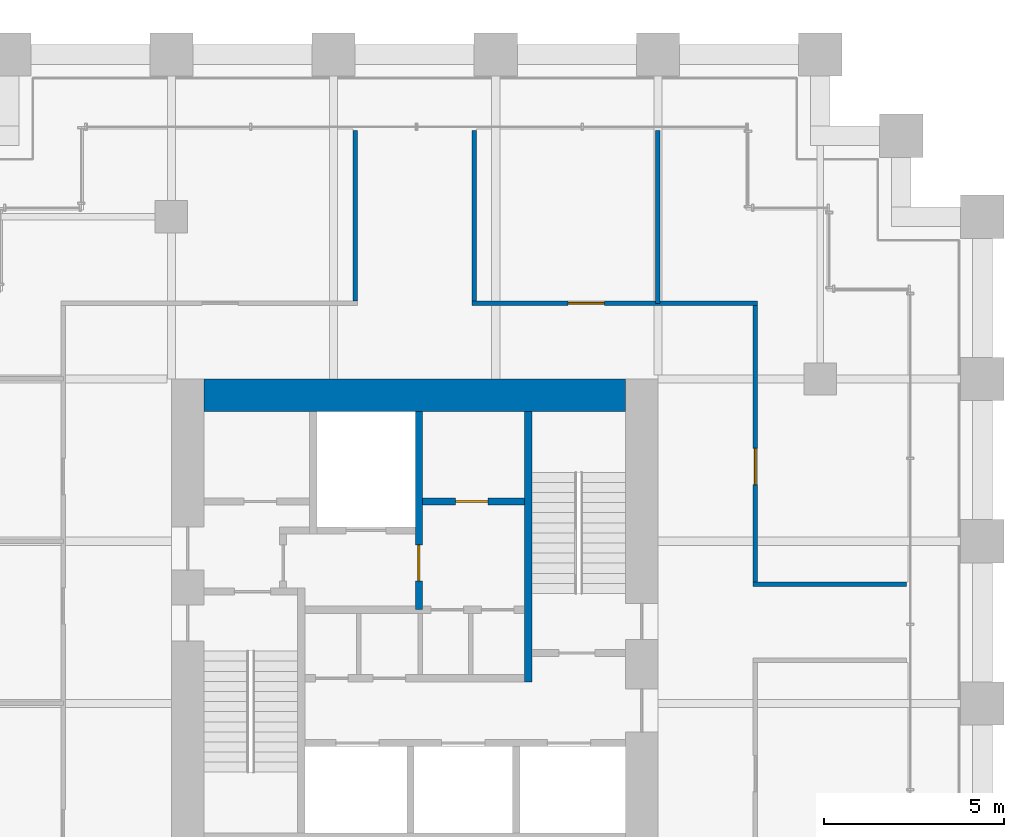
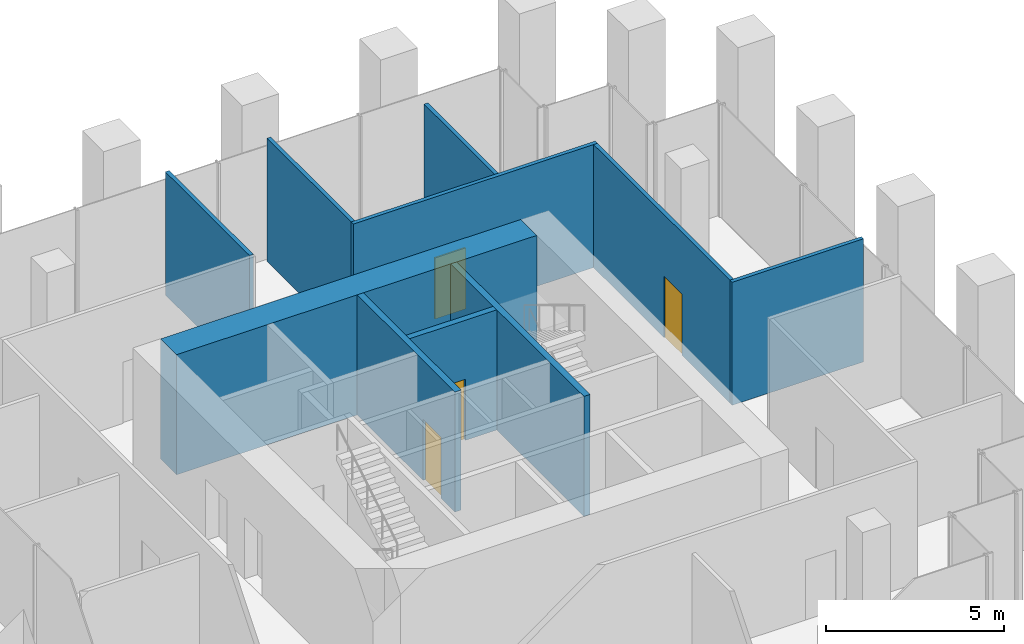
# One storey, part 33 of 36: 10 walls, 4 doors, 4 openings.
"""IFC4 building model written with IfcOpenShell, lengths in metres."""

from ifc_helpers import new_model, si_unit, direction, frame, frame_2d, origin, place, context, subcontext, project, spatial, rectangle, extrude, material, layer, layer_set, type_object, element, fill, save


model = new_model("IFC4")

# Units and contexts
model_context = context("Model", 3, precision=1e-05, world=origin(), true_north=direction((0.0, 1.0)))
body_context = subcontext(model_context, "Body", "Model", "MODEL_VIEW")
ifc_project = project(units=[si_unit("LENGTHUNIT", "METRE"), si_unit("AREAUNIT", "SQUARE_METRE"), si_unit("VOLUMEUNIT", "CUBIC_METRE"), si_unit("PLANEANGLEUNIT", "RADIAN"), si_unit("MASSUNIT", "GRAM", prefix="KILO")], contexts=[model_context])

# Site, building, storey
site_placement = place(None, origin())
site = spatial("IfcSite", under=ifc_project, at=site_placement, CompositionType="ELEMENT")
building_placement = place(site_placement, origin())
building = spatial("IfcBuilding", under=site, at=building_placement, Name="Altepetl Exchange Towers", CompositionType="ELEMENT")
storey_placement = place(building_placement, frame((0.0, 0.0, 38.60009765625)))
storey = spatial("IfcBuildingStorey", under=building, at=storey_placement, Name="L08", CompositionType="ELEMENT", Elevation=38.60009765625)

# Walls
ifc_material_1 = material(Name="Concrete C70/85", Category="concrete")
ifc_layer_1 = layer(ifc_material_1, 0.89990234375)
ifc_layer_set_1 = layer_set([ifc_layer_1], Name="Concrete C70/85")
wall_type_1 = type_object("IfcWallType", Name="Core wall 900 reinforced concrete", PredefinedType="SHEAR", material=ifc_layer_set_1)
wall_1_placement = place(storey_placement, frame((104.39990234375, 49.050048828125, 0.0)))
element("IfcWall", 1, at=wall_1_placement, inside=storey, type_object=wall_type_1, Name="wall:B:L08:K-coreN", PredefinedType="SHEAR", context=body_context, shape_type="SweptSolid", body=[
    extrude(rectangle(XDim=11.7001953125, YDim=0.89990234375, at=frame_2d((5.85009765625, 0.0))), origin(), (0.0, 0.0, 1.0), 4.125),
])
ifc_material_2 = material(Name="Gypsum board on steel studs", Category="steel")
ifc_layer_2 = layer(ifc_material_2, 0.125)
ifc_layer_set_2 = layer_set([ifc_layer_2], Name="Gypsum board on steel studs")
wall_type_2 = type_object("IfcWallType", Name="Partition 125 gypsum board on steel studs", PredefinedType="PARTITIONING", material=ifc_layer_set_2)
wall_2_placement = place(storey_placement, frame((119.637451171875, 43.800048828125, 0.0)))
element("IfcWall", 2, at=wall_2_placement, inside=storey, type_object=wall_type_2, Name="wall:B:L08:P05", PredefinedType="PARTITIONING", context=body_context, shape_type="SweptSolid", body=[
    extrude(rectangle(XDim=4.262451171875, YDim=0.125, at=frame_2d((2.13134765625, 0.0))), origin(), (0.0, 0.0, 1.0), 4.224853515625),
])

# Wall, opening, door
wall_3_placement = place(storey_placement, frame((111.83740234375, 51.60009765625, 0.0)))
wall_3 = element("IfcWall", 3, at=wall_3_placement, inside=storey, type_object=wall_type_2, Name="wall:B:L08:P09", PredefinedType="PARTITIONING", context=body_context, shape_type="SweptSolid", body=[
    extrude(rectangle(XDim=7.925048828125, YDim=0.125, at=frame_2d((3.96240234375, 0.0))), origin(), (0.0, 0.0, 1.0), 4.224853515625),
])
opening_1_placement = place(wall_3_placement, frame((2.672607421875, 0.0, 0.0)))
opening_1 = element("IfcOpeningElement", 4, at=opening_1_placement, cuts=wall_3, Name="Opening L08.B06", PredefinedType="OPENING", context=body_context, shape_type="SweptSolid", body=[
    extrude(rectangle(XDim=1.0, YDim=2.10009765625, at=frame_2d((0.5, 1.050048828125))), frame((0.0, 0.072509765625, 0.0), z_axis=(0.0, -1.0, 0.0), x_axis=(1.0, 0.0, 0.0)), (0.0, 0.0, 1.0), 0.14501953125),
])
ifc_material_3 = material(Name="Steel and timber fire door", Category="steel")
door_type_1 = type_object("IfcDoorType", Name="Fire door 1000 x 2100 single leaf", OperationType="SINGLE_SWING_LEFT", PredefinedType="DOOR", material=ifc_material_3)
door_1_placement = place(opening_1_placement, origin())
door_1 = element("IfcDoor", 5, at=door_1_placement, inside=storey, type_object=door_type_1, Name="door:B:L08:06", OperationType="SINGLE_SWING_LEFT", OverallHeight=2.10009765625, OverallWidth=1.0, PredefinedType="DOOR", context=body_context, shape_type="SweptSolid", body=[
    extrude(rectangle(XDim=1.0, YDim=2.10009765625, at=frame_2d((0.5, 1.050048828125))), frame((0.0, 0.02490234375, 0.0), z_axis=(0.0, -1.0, 0.0), x_axis=(1.0, 0.0, 0.0)), (0.0, 0.0, 1.0), 0.050048828125),
])
fill(opening_1, door_1)

# Walls
for number, where, z_axis, x_axis, name in (
    (6, (108.60009765625, 51.66259765625, 0.0), (0.0, 0.0, 1.0), (0.0, 1.0, 0.0), "wall:B:L08:P12"),
    (7, (111.89990234375, 51.66259765625, 0.0), (0.0, 0.0, 1.0), (0.0, 1.0, 0.0), "wall:B:L08:P13"),
):
    element("IfcWall", number, at=place(storey_placement, frame(where, z_axis=z_axis, x_axis=x_axis)), inside=storey, type_object=wall_type_2, Name=name, PredefinedType="PARTITIONING", context=body_context, shape_type="SweptSolid", body=[
        extrude(rectangle(XDim=4.7373046875, YDim=0.125, at=frame_2d((2.36865234375, 0.0))), origin(), (0.0, 0.0, 1.0), 4.224853515625),
    ])
wall_4_placement = place(storey_placement, frame((117.0, 51.60009765625, 0.0), z_axis=(0.0, 0.0, 1.0), x_axis=(0.0, 1.0, 0.0)))
element("IfcWall", 8, at=wall_4_placement, inside=storey, type_object=wall_type_2, Name="wall:B:L08:P15", PredefinedType="PARTITIONING", context=body_context, shape_type="SweptSolid", body=[
    extrude(rectangle(XDim=4.7998046875, YDim=0.125, at=frame_2d((2.39990234375, 0.0))), origin(), (0.0, 0.0, 1.0), 3.61279296875),
])

# Wall, opening, door
wall_5_placement = place(storey_placement, frame((119.699951171875, 43.862548828125, 0.0), z_axis=(0.0, 0.0, 1.0), x_axis=(0.0, 1.0, 0.0)))
wall_5 = element("IfcWall", 9, at=wall_5_placement, inside=storey, type_object=wall_type_2, Name="wall:B:L08:P17", PredefinedType="PARTITIONING", context=body_context, shape_type="SweptSolid", body=[
    extrude(rectangle(XDim=7.675048828125, YDim=0.125, at=frame_2d((3.83740234375, 0.0))), origin(), (0.0, 0.0, 1.0), 4.224853515625),
])
opening_2_placement = place(wall_5_placement, frame((2.70947265625, 0.0, 0.0)))
opening_2 = element("IfcOpeningElement", 10, at=opening_2_placement, cuts=wall_5, Name="Opening L08.B05", PredefinedType="OPENING", context=body_context, shape_type="SweptSolid", body=[
    extrude(rectangle(XDim=1.0, YDim=2.10009765625, at=frame_2d((0.5, 1.050048828125))), frame((0.0, 0.072509765625, 0.0), z_axis=(0.0, -1.0, 0.0), x_axis=(1.0, 0.0, 0.0)), (0.0, 0.0, 1.0), 0.14501953125),
])
door_2_placement = place(opening_2_placement, frame((1.0, 0.0, 0.0), x_axis=(-1.0, 0.0, 0.0)))
door_2 = element("IfcDoor", 11, at=door_2_placement, inside=storey, type_object=door_type_1, Name="door:B:L08:05", OperationType="SINGLE_SWING_LEFT", OverallHeight=2.10009765625, OverallWidth=1.0, PredefinedType="DOOR", context=body_context, shape_type="SweptSolid", body=[
    extrude(rectangle(XDim=1.0, YDim=2.10009765625, at=frame_2d((0.5, 1.050048828125))), frame((0.0, 0.02490234375, 0.0), z_axis=(0.0, -1.0, 0.0), x_axis=(1.0, 0.0, 0.0)), (0.0, 0.0, 1.0), 0.050048828125),
])
fill(opening_2, door_2)

ifc_material_4 = material(Name="Concrete C40/50", Category="concrete")
ifc_layer_3 = layer(ifc_material_4, 0.199951171875)
ifc_layer_set_3 = layer_set([ifc_layer_3], Name="Concrete C40/50")
wall_type_3 = type_object("IfcWallType", Name="Shaft wall 200 reinforced concrete", PredefinedType="SHEAR", material=ifc_layer_set_3)
wall_6_placement = place(storey_placement, frame((110.36669921875, 48.60009765625, 0.0), z_axis=(0.0, 0.0, 1.0), x_axis=(0.0, -1.0, 0.0)))
wall_6 = element("IfcWall", 12, at=wall_6_placement, inside=storey, type_object=wall_type_3, Name="wall:B:L08:K-divN2", PredefinedType="SHEAR", context=body_context, shape_type="SweptSolid", body=[
    extrude(rectangle(XDim=5.5, YDim=0.199951171875, at=frame_2d((2.75, 0.0))), origin(), (0.0, 0.0, 1.0), 4.125),
])
opening_3_placement = place(wall_6_placement, frame((3.699951171875, 0.0, 0.0)))
opening_3 = element("IfcOpeningElement", 13, at=opening_3_placement, cuts=wall_6, Name="Opening L08.B66", PredefinedType="OPENING", context=body_context, shape_type="SweptSolid", body=[
    extrude(rectangle(XDim=1.0, YDim=2.10009765625, at=frame_2d((0.5, 1.050048828125))), frame((0.0, 0.10986328125, 0.0), z_axis=(0.0, -1.0, 0.0), x_axis=(1.0, 0.0, 0.0)), (0.0, 0.0, 1.0), 0.219970703125),
])
door_type_2 = type_object("IfcDoorType", Name="Fire door 1000 x 2100 stair and lobby", OperationType="SINGLE_SWING_LEFT", PredefinedType="DOOR", material=ifc_material_3)
door_3_placement = place(opening_3_placement, frame((1.0, 0.0, 0.0), x_axis=(-1.0, 0.0, 0.0)))
door_3 = element("IfcDoor", 14, at=door_3_placement, inside=storey, type_object=door_type_2, Name="door:B:L08:K-dffE", OperationType="SINGLE_SWING_RIGHT", OverallHeight=2.10009765625, OverallWidth=1.0, PredefinedType="DOOR", context=body_context, shape_type="SweptSolid", body=[
    extrude(rectangle(XDim=1.0, YDim=2.10009765625, at=frame_2d((0.5, 1.050048828125))), frame((0.0, 0.02490234375, 0.0), z_axis=(0.0, -1.0, 0.0), x_axis=(1.0, 0.0, 0.0)), (0.0, 0.0, 1.0), 0.050048828125),
])
fill(opening_3, door_3)

wall_7_placement = place(storey_placement, frame((110.466796875, 46.10009765625, 0.0)))
wall_7 = element("IfcWall", 15, at=wall_7_placement, inside=storey, type_object=wall_type_3, Name="wall:B:L08:K-frontNb", PredefinedType="SHEAR", context=body_context, shape_type="SweptSolid", body=[
    extrude(rectangle(XDim=2.833251953125, YDim=0.199951171875, at=frame_2d((1.41650390625, 0.0))), origin(), (0.0, 0.0, 1.0), 4.125),
])
opening_4_placement = place(wall_7_placement, frame((0.91650390625, 0.0, 0.0)))
opening_4 = element("IfcOpeningElement", 16, at=opening_4_placement, cuts=wall_7, Name="Opening L08.B69", PredefinedType="OPENING", context=body_context, shape_type="SweptSolid", body=[
    extrude(rectangle(XDim=0.89990234375, YDim=2.10009765625, at=frame_2d((0.449951171875, 1.050048828125))), frame((0.0, 0.10986328125, 0.0), z_axis=(0.0, -1.0, 0.0), x_axis=(1.0, 0.0, 0.0)), (0.0, 0.0, 1.0), 0.219970703125),
])
door_type_3 = type_object("IfcDoorType", Name="Fire door 900 x 2100 service room", OperationType="SINGLE_SWING_LEFT", PredefinedType="DOOR", material=ifc_material_3)
door_4_placement = place(opening_4_placement, origin())
door_4 = element("IfcDoor", 17, at=door_4_placement, inside=storey, type_object=door_type_3, Name="door:B:L08:K-dslotN2", OperationType="SINGLE_SWING_RIGHT", OverallHeight=2.10009765625, OverallWidth=0.89990234375, PredefinedType="DOOR", context=body_context, shape_type="SweptSolid", body=[
    extrude(rectangle(XDim=0.89990234375, YDim=2.10009765625, at=frame_2d((0.449951171875, 1.050048828125))), frame((0.0, 0.02490234375, 0.0), z_axis=(0.0, -1.0, 0.0), x_axis=(1.0, 0.0, 0.0)), (0.0, 0.0, 1.0), 0.050048828125),
])
fill(opening_4, door_4)

# Wall
ifc_layer_4 = layer(ifc_material_4, 0.199951171875)
ifc_layer_set_4 = layer_set([ifc_layer_4], Name="Concrete C40/50")
wall_type_4 = type_object("IfcWallType", Name="Stair wall 200 reinforced concrete", PredefinedType="SHEAR", material=ifc_layer_set_4)
wall_8_placement = place(storey_placement, frame((113.39990234375, 41.10009765625, 0.0), z_axis=(0.0, 0.0, 1.0), x_axis=(0.0, 1.0, 0.0)))
element("IfcWall", 18, at=wall_8_placement, inside=storey, type_object=wall_type_4, Name="wall:B:L08:K-stS2W", PredefinedType="SHEAR", context=body_context, shape_type="SweptSolid", body=[
    extrude(rectangle(XDim=7.5, YDim=0.199951171875, at=frame_2d((3.75, 0.0))), origin(), (0.0, 0.0, 1.0), 4.125),
])

save(model, "model.ifc")
